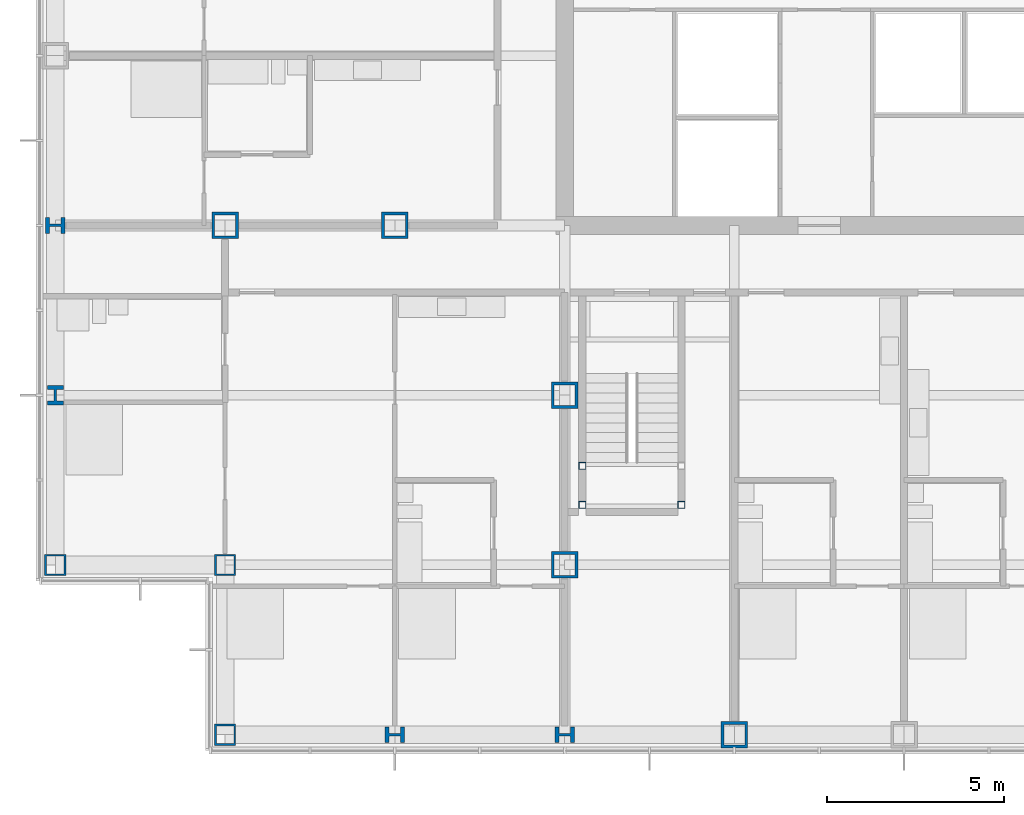
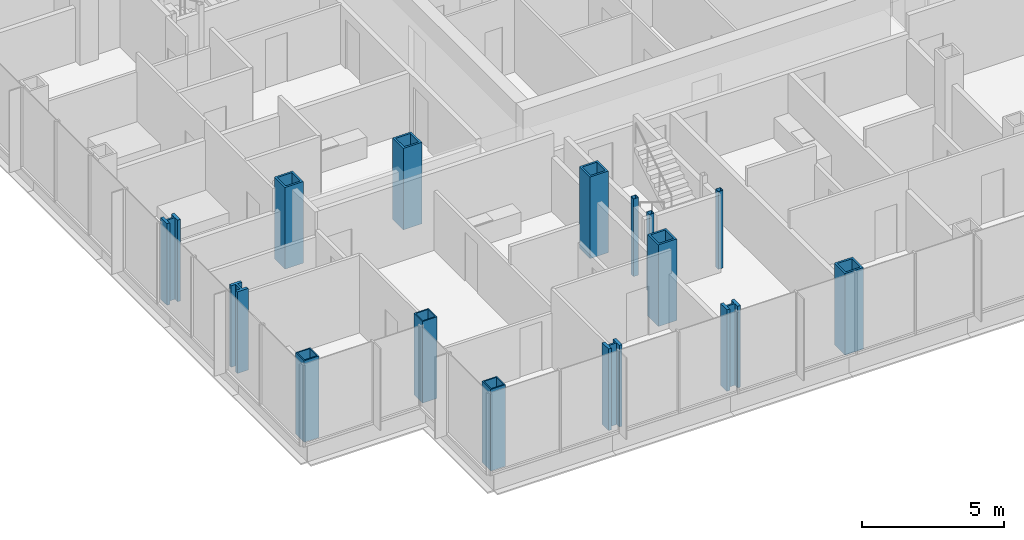
# One storey, part 1 of 21: 15 columns.
"""IFC4 building model written with IfcOpenShell, lengths in metres."""

import ifcopenshell
import ifcopenshell.guid

model = None  # the IFC model being written
_history = None  # IfcOwnerHistory: only IFC2X3 demands one
_inside = {}  # id of a spatial element -> (the spatial element, [elements in it])
_under = {}  # id of a project, library or spatial element -> (it, [spatial elements below it])
_declared = {}  # id of a project -> (the project, [libraries it declares])
_typed = {}  # id of a type object -> (the type object, [elements of that type])
_made_of = {}  # id of a material, layer set ... -> (it, [elements and type objects made of it])


def new_model(schema):
    """Start an empty IFC model of exactly this schema.

    Asked for "IFC4X3", IfcOpenShell would pick the latest addendum, in which some entities
    have other attributes; the version numbers below select the first issue.
    IFC2X3 requires an IfcOwnerHistory on every rooted entity: one is made here for all.
    """
    global model, _history
    if schema == "IFC4X3":
        model = ifcopenshell.file(schema_version=(4, 3, 0, 0))
    else:
        model = ifcopenshell.file(schema=schema)
    _inside.clear()
    _under.clear()
    _declared.clear()
    _typed.clear()
    _made_of.clear()
    _history = None
    if model.schema == "IFC2X3":
        org = make("IfcOrganization", Name="unknown")
        user = make(
            "IfcPersonAndOrganization",
            ThePerson=make("IfcPerson", FamilyName="unknown"),
            TheOrganization=org,
        )
        app = make(
            "IfcApplication",
            ApplicationDeveloper=org,
            Version="unknown",
            ApplicationFullName="unknown",
            ApplicationIdentifier="unknown",
        )
        _history = make(
            "IfcOwnerHistory",
            OwningUser=user,
            OwningApplication=app,
            ChangeAction="ADDED",
            CreationDate=0,
        )
    return model


def make(cls, **values):
    """One entity of the class cls with the attributes given. An attribute that is None is left unset."""
    return model.create_entity(
        cls, **{name: value for name, value in values.items() if value is not None}
    )


def rooted(cls, **values):
    """An entity with a GlobalId (a new one), such as an element, a storey or a relation."""
    return make(cls, GlobalId=ifcopenshell.guid.new(), OwnerHistory=_history, **values)


def si_unit(unit_type, name, prefix=None):
    """IfcSIUnit, for example si_unit("LENGTHUNIT", "METRE", prefix="MILLI")."""
    return make("IfcSIUnit", UnitType=unit_type, Prefix=prefix, Name=name)


def assignment(units):
    """IfcUnitAssignment: the units of a project."""
    return None if units is None else make("IfcUnitAssignment", Units=units)


def point(xyz):
    """IfcCartesianPoint."""
    return None if xyz is None else make("IfcCartesianPoint", Coordinates=xyz)


def direction(xyz):
    """IfcDirection."""
    return None if xyz is None else make("IfcDirection", DirectionRatios=xyz)


def frame(location, z_axis=None, x_axis=None):
    """IfcAxis2Placement3D, a coordinate frame: its origin and axes. An axis left out is left unset."""
    return make(
        "IfcAxis2Placement3D",
        Location=point(location),
        Axis=direction(z_axis),
        RefDirection=direction(x_axis),
    )


def frame_2d(location, x_axis=None):
    """IfcAxis2Placement2D, a coordinate frame in the plane: its origin and x axis."""
    return make(
        "IfcAxis2Placement2D", Location=point(location), RefDirection=direction(x_axis)
    )


def origin():
    """The frame at (0, 0, 0) with its axes left unset."""
    return frame((0.0, 0.0, 0.0))


def origin_2d():
    """The frame at (0, 0) in the plane with its x axis left unset."""
    return frame_2d((0.0, 0.0))


def place(relative_to, where):
    """IfcLocalPlacement: puts the frame where relative to a parent placement (None: the world)."""
    return make(
        "IfcLocalPlacement", PlacementRelTo=relative_to, RelativePlacement=where
    )


def context(
    kind, dimensions, precision=None, world=None, true_north=None, identifier=None
):
    """IfcGeometricRepresentationContext, for example the 3D "Model" context."""
    return make(
        "IfcGeometricRepresentationContext",
        ContextIdentifier=identifier,
        ContextType=kind,
        CoordinateSpaceDimension=dimensions,
        Precision=precision,
        WorldCoordinateSystem=world,
        TrueNorth=true_north,
    )


def subcontext(parent, identifier, kind, view, scale=None):
    """IfcGeometricRepresentationSubContext, for example "Body" below "Model"."""
    return make(
        "IfcGeometricRepresentationSubContext",
        ContextIdentifier=identifier,
        ContextType=kind,
        ParentContext=parent,
        TargetScale=scale,
        TargetView=view,
    )


def project(units=None, contexts=None):
    """IfcProject with its units and contexts."""
    return rooted(
        "IfcProject",
        Name="project",
        RepresentationContexts=contexts,
        UnitsInContext=assignment(units),
    )


def spatial(cls, under=None, at=None, **own):
    """A site, building, storey or space (cls), placed at a placement, below another one or the project."""
    s = rooted(cls, ObjectPlacement=at, **own)
    if under is not None:
        _under.setdefault(under.id(), (under, []))[1].append(s)
    return s


def profile(cls, at=None, kind="AREA", **sizes):
    """A parametric profile (cls). Its sizes go by their IFC names, for example OverallWidth=200.0."""
    return make(cls, ProfileType=kind, Position=at, **sizes)


def hollow_rectangle(**sizes):
    """IfcRectangleHollowProfileDef."""
    return profile("IfcRectangleHollowProfileDef", **sizes)


def i_section(**sizes):
    """IfcIShapeProfileDef."""
    return profile("IfcIShapeProfileDef", **sizes)


def extrude(swept, where, along, depth):
    """IfcExtrudedAreaSolid: the profile swept, set in the frame where, extruded along a direction by depth."""
    return make(
        "IfcExtrudedAreaSolid",
        SweptArea=swept,
        Position=where,
        ExtrudedDirection=direction(along),
        Depth=depth,
    )


def shape(context_of_items, identifier, shape_type, items):
    """IfcShapeRepresentation: the items that make up one representation, for example the "Body"."""
    return make(
        "IfcShapeRepresentation",
        ContextOfItems=context_of_items,
        RepresentationIdentifier=identifier,
        RepresentationType=shape_type,
        Items=items,
    )


def material(Name=None, Category=None):
    """IfcMaterial."""
    return make("IfcMaterial", Name=Name, Category=Category)


def material_profile(
    of_material, cross_section, Name=None, Category=None, Priority=None
):
    """IfcMaterialProfile: a cross section and its material."""
    return make(
        "IfcMaterialProfile",
        Name=Name,
        Material=of_material,
        Profile=cross_section,
        Priority=Priority,
        Category=Category,
    )


def profile_set(profiles, Name=None, composite=None):
    """IfcMaterialProfileSet."""
    return make(
        "IfcMaterialProfileSet",
        Name=Name,
        MaterialProfiles=profiles,
        CompositeProfile=composite,
    )


def made_of(thing, what):
    """Note that an element or type object is made of a material, layer set ...; save() writes the relation."""
    if what is not None:
        _made_of.setdefault(what.id(), (what, []))[1].append(thing)
    return thing


def type_object(cls, material=None, **own):
    """A type object (cls), such as IfcWallType, which elements share."""
    return made_of(rooted(cls, **own), material)


def element(
    cls,
    number,
    at=None,
    inside=None,
    cuts=None,
    type_object=None,
    material=None,
    context=None,
    identifier="Body",
    shape_type=None,
    held_by="IfcProductDefinitionShape",
    body=None,
    shapes=None,
    **own,
):
    """One element of the class cls, such as IfcWall. Its Tag is "e" and its number.

    at: its placement. inside: the storey or other place that contains it. cuts: it is an
    opening in that element (IfcRelVoidsElement). A single representation is given by context,
    identifier, shape_type and body (its items); several are given by shapes. held_by: the class
    of the entity that holds the representations. save() writes the other relations.
    """
    e = rooted(cls, Tag="e%d" % number, ObjectPlacement=at, **own)
    if body is not None:
        shapes = [shape(context, identifier, shape_type, body)]
    if shapes is not None:
        e.Representation = make(held_by, Representations=shapes)
    if inside is not None:
        _inside.setdefault(inside.id(), (inside, []))[1].append(e)
    if cuts is not None:
        rooted(
            "IfcRelVoidsElement", RelatingBuildingElement=cuts, RelatedOpeningElement=e
        )
    if type_object is not None:
        _typed.setdefault(type_object.id(), (type_object, []))[1].append(e)
    return made_of(e, material)


def aggregate(whole, parts):
    """IfcRelAggregates: a whole, such as a stair, and the parts it consists of."""
    return rooted("IfcRelAggregates", RelatingObject=whole, RelatedObjects=parts)


def save(model, path):
    """Write the relations noted so far, then the file.

    IfcRelAggregates (storeys below a building ...), IfcRelContainedInSpatialStructure (elements
    in a storey), IfcRelDefinesByType, IfcRelAssociatesMaterial and IfcRelDeclares: one each for
    every whole, place, type object, material and project.
    """
    for whole, parts in _under.values():
        aggregate(whole, parts)
    for where, things in _inside.values():
        rooted(
            "IfcRelContainedInSpatialStructure",
            RelatedElements=things,
            RelatingStructure=where,
        )
    for kind, things in _typed.values():
        rooted("IfcRelDefinesByType", RelatedObjects=things, RelatingType=kind)
    for what, things in _made_of.values():
        rooted("IfcRelAssociatesMaterial", RelatedObjects=things, RelatingMaterial=what)
    for by, libraries in _declared.values():
        rooted("IfcRelDeclares", RelatingContext=by, RelatedDefinitions=libraries)
    model.write(path)


model = new_model("IFC4")

# Units and contexts
model_context = context("Model", 3, precision=1e-05, world=origin(), true_north=direction((0.0, 1.0)))
body_context = subcontext(model_context, "Body", "Model", "MODEL_VIEW")
ifc_project = project(units=[si_unit("LENGTHUNIT", "METRE"), si_unit("AREAUNIT", "SQUARE_METRE"), si_unit("VOLUMEUNIT", "CUBIC_METRE"), si_unit("PLANEANGLEUNIT", "RADIAN"), si_unit("MASSUNIT", "GRAM", prefix="KILO")], contexts=[model_context])

# Site, building, storey
site_placement = place(None, origin())
site = spatial("IfcSite", under=ifc_project, at=site_placement, CompositionType="ELEMENT")
building_placement = place(site_placement, origin())
building = spatial("IfcBuilding", under=site, at=building_placement, Name="Kvirike Care Tower", CompositionType="ELEMENT")
storey_placement = place(building_placement, frame((0.0, 0.0, 55.0)))
storey = spatial("IfcBuildingStorey", under=building, at=storey_placement, Name="L14", CompositionType="ELEMENT", Elevation=55.0)

# Columns
ifc_material_1 = material(Name="Steel S460", Category="steel")
ifc_material_profile_1 = material_profile(ifc_material_1, hollow_rectangle(XDim=0.60009765625, YDim=0.60009765625, WallThickness=0.050048828125, at=origin_2d()), Name="BX 600x600x50")
ifc_profile_set_1 = profile_set([ifc_material_profile_1], Name="Steel S460")
column_type_1 = type_object("IfcColumnType", Name="COLUMN BX 600x600x50", PredefinedType="COLUMN", material=ifc_profile_set_1)
for number, where, z_axis, x_axis, name in (
    (1, (0.0, 19.199951171875, 0.0), (0.0, 0.0, 1.0), (0.0, 1.0, 0.0), "Column E3 L14"),
    (2, (4.800048828125, 14.39990234375, 0.0), (0.0, 0.0, 1.0), (0.0, 1.0, 0.0), "Column D4 L14"),
    (3, (4.800048828125, 19.199951171875, 0.0), (0.0, 0.0, 1.0), (0.0, 1.0, 0.0), "Column E4 L14"),
):
    element("IfcColumn", number, at=place(storey_placement, frame(where, z_axis=z_axis, x_axis=x_axis)), inside=storey, type_object=column_type_1, Name=name, PredefinedType="COLUMN", context=body_context, shape_type="SweptSolid", body=[
        extrude(hollow_rectangle(XDim=0.60009765625, YDim=0.60009765625, WallThickness=0.050048828125, at=origin_2d()), origin(), (0.0, 0.0, 1.0), 3.5),
    ])
ifc_material_2 = material(Name="Steel S460", Category="steel")
ifc_material_profile_2 = material_profile(ifc_material_2, hollow_rectangle(XDim=0.75, YDim=0.75, WallThickness=0.080078125, at=origin_2d()), Name="BX 750x750x80")
ifc_profile_set_2 = profile_set([ifc_material_profile_2], Name="Steel S460")
column_type_2 = type_object("IfcColumnType", Name="COLUMN BX 750x750x80", PredefinedType="COLUMN", material=ifc_profile_set_2)
for number, where, z_axis, x_axis, name in (
    (4, (4.800048828125, 28.800048828125, 0.0), (0.0, 0.0, 1.0), (0.0, 1.0, 0.0), "Column G4 L14"),
    (5, (9.60009765625, 28.800048828125, 0.0), (0.0, 0.0, 1.0), (0.0, 1.0, 0.0), "Column G5 L14"),
    (6, (14.39990234375, 19.199951171875, 0.0), (0.0, 0.0, 1.0), (1.0, 0.0, 0.0), "Column E6 L14"),
    (7, (14.39990234375, 24.0, 0.0), (0.0, 0.0, 1.0), (1.0, 0.0, 0.0), "Column F6 L14"),
    (8, (19.199951171875, 14.39990234375, 0.0), (0.0, 0.0, 1.0), (0.0, 1.0, 0.0), "Column D7 L14"),
):
    element("IfcColumn", number, at=place(storey_placement, frame(where, z_axis=z_axis, x_axis=x_axis)), inside=storey, type_object=column_type_2, Name=name, PredefinedType="COLUMN", context=body_context, shape_type="SweptSolid", body=[
        extrude(hollow_rectangle(XDim=0.75, YDim=0.75, WallThickness=0.080078125, at=origin_2d()), origin(), (0.0, 0.0, 1.0), 3.5),
    ])
ifc_material_3 = material(Name="Steel S460", Category="steel")
ifc_material_profile_3 = material_profile(ifc_material_3, i_section(OverallWidth=0.447998046875, OverallDepth=0.550048828125, WebThickness=0.072021484375, FlangeThickness=0.114990234375, FilletRadius=0.014892578125, at=origin_2d()), Name="HD 400x990")
ifc_profile_set_3 = profile_set([ifc_material_profile_3], Name="Steel S460")
column_type_3 = type_object("IfcColumnType", Name="COLUMN HD 400x990", PredefinedType="COLUMN", material=ifc_profile_set_3)
for number, where, z_axis, x_axis, name in (
    (9, (0.0, 24.0, 0.0), (0.0, 0.0, 1.0), (1.0, 0.0, 0.0), "Column F3 L14"),
    (10, (0.0, 28.800048828125, 0.0), (0.0, 0.0, 1.0), (0.0, 1.0, 0.0), "Column G3 L14"),
    (11, (9.60009765625, 14.39990234375, 0.0), (0.0, 0.0, 1.0), (0.0, 1.0, 0.0), "Column D5 L14"),
    (12, (14.39990234375, 14.39990234375, 0.0), (0.0, 0.0, 1.0), (0.0, 1.0, 0.0), "Column D6 L14"),
):
    element("IfcColumn", number, at=place(storey_placement, frame(where, z_axis=z_axis, x_axis=x_axis)), inside=storey, type_object=column_type_3, Name=name, PredefinedType="COLUMN", context=body_context, shape_type="SweptSolid", body=[
        extrude(i_section(OverallWidth=0.447998046875, OverallDepth=0.550048828125, WebThickness=0.072021484375, FlangeThickness=0.114990234375, FilletRadius=0.014892578125, at=origin_2d()), origin(), (0.0, 0.0, 1.0), 3.5),
    ])
ifc_material_4 = material(Name="Steel S460", Category="steel")
ifc_material_profile_4 = material_profile(ifc_material_4, hollow_rectangle(XDim=0.199951171875, YDim=0.199951171875, WallThickness=0.008056640625, at=origin_2d()), Name="SHS 200x200x8")
ifc_profile_set_4 = profile_set([ifc_material_profile_4], Name="Steel S460")
column_type_4 = type_object("IfcColumnType", Name="STAIR POST SHS 200x200x8", PredefinedType="COLUMN", material=ifc_profile_set_4)
for number, where, z_axis, x_axis, name in (
    (13, (14.89990234375, 20.89990234375, 0.0), (0.0, 0.0, 1.0), (1.0, 0.0, 0.0), "Stair 5 post 1 L14"),
    (14, (17.699951171875, 20.89990234375, 0.0), (0.0, 0.0, 1.0), (1.0, 0.0, 0.0), "Stair 5 post 2 L14"),
    (15, (14.89990234375, 22.0, 0.0), (0.0, 0.0, 1.0), (1.0, 0.0, 0.0), "Stair 5 post 3 L14"),
):
    element("IfcColumn", number, at=place(storey_placement, frame(where, z_axis=z_axis, x_axis=x_axis)), inside=storey, type_object=column_type_4, Name=name, PredefinedType="COLUMN", context=body_context, shape_type="SweptSolid", body=[
        extrude(hollow_rectangle(XDim=0.199951171875, YDim=0.199951171875, WallThickness=0.008056640625, at=origin_2d()), origin(), (0.0, 0.0, 1.0), 3.330078125),
    ])

save(model, "model.ifc")
